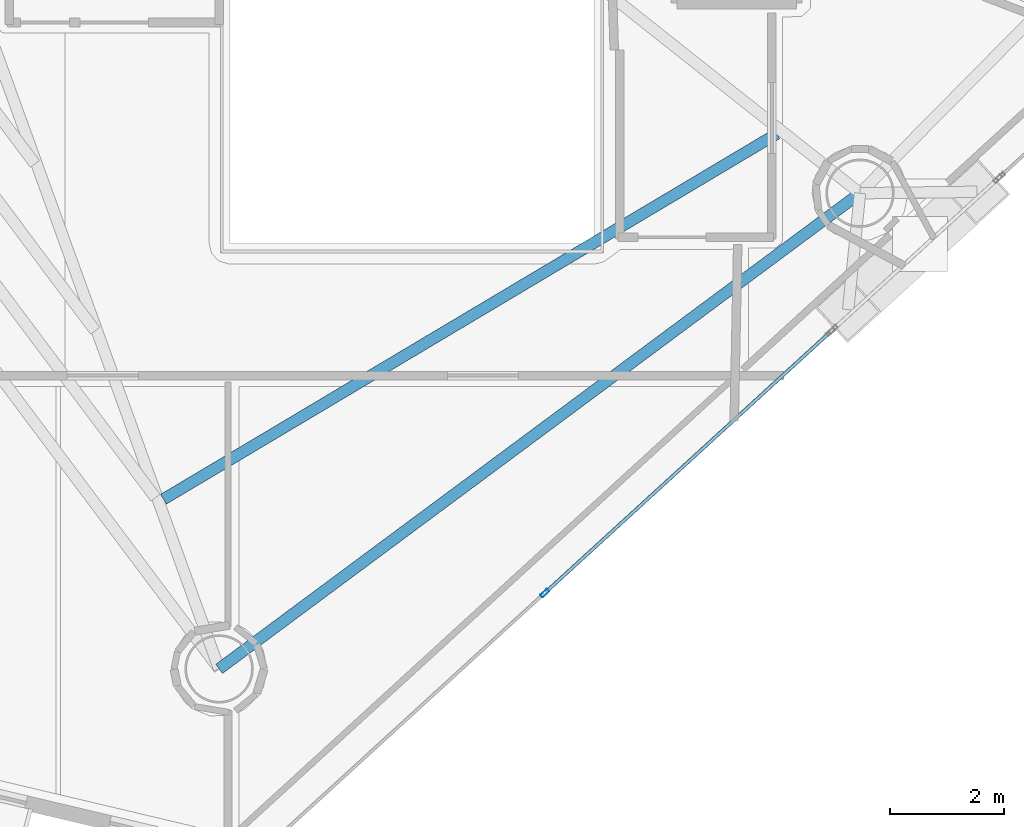
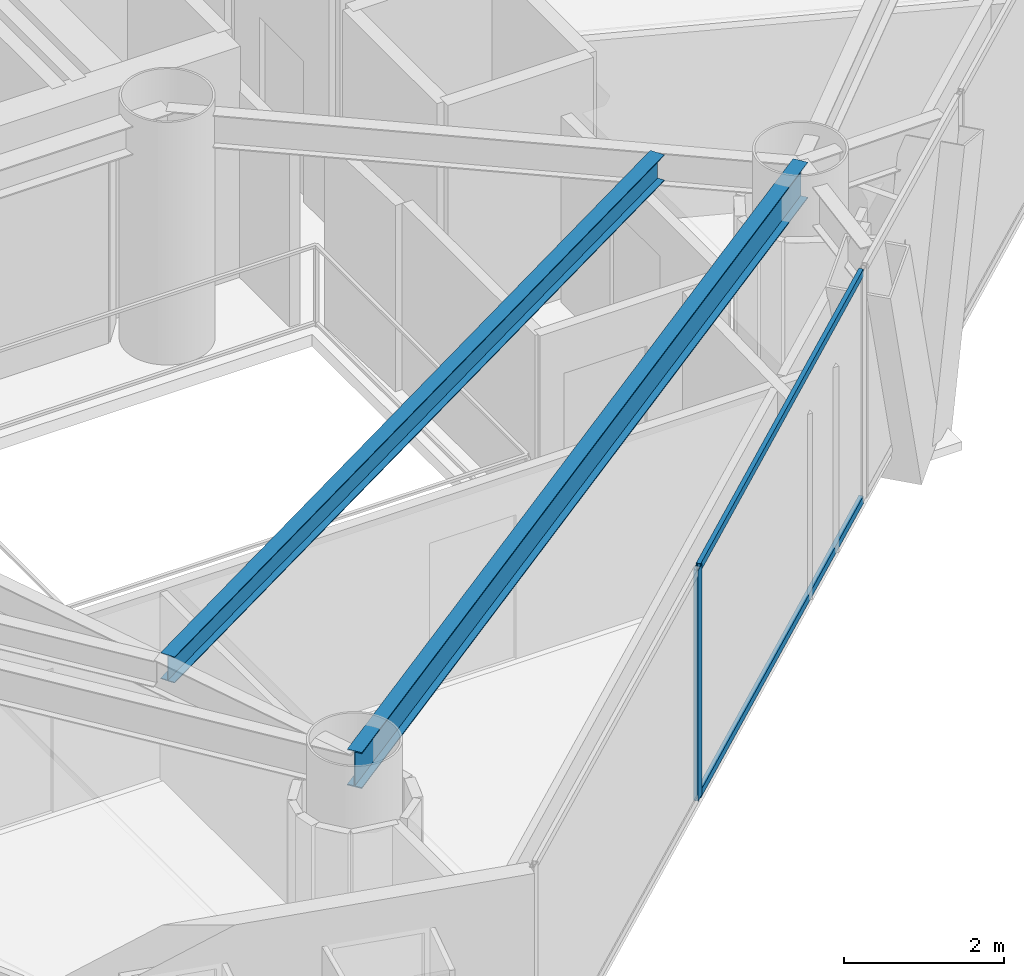
# One storey, part 5 of 24: 3 members, 2 beams, 1 element without a shape of its own.
"""IFC4 building model written with IfcOpenShell, lengths in metres."""

from ifc_helpers import new_model, si_unit, direction, frame, origin, origin_2d, place, context, subcontext, project, spatial, hollow_rectangle, i_section, extrude, material, layer, layer_set, material_profile, profile_set, type_object, element, aggregate, save


model = new_model("IFC4")

# Units and contexts
model_context = context("Model", 3, precision=1e-05, world=origin(), true_north=direction((0.0, 1.0)))
body_context = subcontext(model_context, "Body", "Model", "MODEL_VIEW")
ifc_project = project(units=[si_unit("LENGTHUNIT", "METRE"), si_unit("AREAUNIT", "SQUARE_METRE"), si_unit("VOLUMEUNIT", "CUBIC_METRE"), si_unit("PLANEANGLEUNIT", "RADIAN"), si_unit("MASSUNIT", "GRAM", prefix="KILO")], contexts=[model_context])

# Site, building, storey
site_placement = place(None, origin())
site = spatial("IfcSite", under=ifc_project, at=site_placement, CompositionType="ELEMENT")
building_placement = place(site_placement, origin())
building = spatial("IfcBuilding", under=site, at=building_placement, Name="Qianvela Tower", CompositionType="ELEMENT")
storey_placement = place(building_placement, frame((0.0, 0.0, 222.5)))
storey = spatial("IfcBuildingStorey", under=building, at=storey_placement, Name="L57", CompositionType="ELEMENT", Elevation=222.5)

# Beams
ifc_material_1 = material(Name="Steel Q355B", Category="steel")
ifc_material_profile_1 = material_profile(ifc_material_1, i_section(OverallWidth=0.199951171875, OverallDepth=0.39990234375, WebThickness=0.008056640625, FlangeThickness=0.012939453125, at=origin_2d()), Name="HN400x200x8x13")
ifc_profile_set_1 = profile_set([ifc_material_profile_1], Name="Steel Q355B")
beam_type_1 = type_object("IfcBeamType", Name="BM-HN400-JOIST", PredefinedType="JOIST", material=ifc_profile_set_1)
beam_1_placement = place(storey_placement, frame((32.4365234375, 13.51025390625, 3.318115234375), z_axis=(0.859083505932, 0.511835451914, 0.0), x_axis=(-0.511835451914, 0.859083505932, 0.0)))
element("IfcBeam", 1, at=beam_1_placement, inside=storey, type_object=beam_type_1, Name="L57 Secondary Composite Floor Joist 5.3", PredefinedType="JOIST", context=body_context, shape_type="SweptSolid", body=[
    extrude(i_section(OverallWidth=0.199951171875, OverallDepth=0.39990234375, WebThickness=0.008056640625, FlangeThickness=0.012939453125, at=origin_2d()), origin(), (0.0, 0.0, 1.0), 12.535888671875),
])
ifc_material_2 = material(Name="Steel Q355B", Category="steel")
ifc_material_profile_2 = material_profile(ifc_material_2, i_section(OverallWidth=0.199951171875, OverallDepth=0.550048828125, WebThickness=0.010009765625, FlangeThickness=0.01611328125, at=origin_2d()), Name="HN550x200x10x16")
ifc_profile_set_2 = profile_set([ifc_material_profile_2], Name="Steel Q355B")
beam_type_2 = type_object("IfcBeamType", Name="BM-HN550-GIRD", PredefinedType="BEAM", material=ifc_profile_set_2)
beam_2_placement = place(storey_placement, frame((33.4130859375, 10.531005859375, 3.242919921875), z_axis=(0.803016810701, 0.595956375696, 0.0), x_axis=(-0.595956375696, 0.803016810701, 0.0)))
element("IfcBeam", 2, at=beam_2_placement, inside=storey, type_object=beam_type_2, Name="L57 Perimeter Ring Spandrel Girder 5", PredefinedType="BEAM", context=body_context, shape_type="SweptSolid", body=[
    extrude(i_section(OverallWidth=0.199951171875, OverallDepth=0.550048828125, WebThickness=0.010009765625, FlangeThickness=0.01611328125, at=origin_2d()), origin(), (0.0, 0.0, 1.0), 14.0146484375),
])

# Curtain wall, members
ifc_material_3 = material(Name="Anodised Architectural Aluminium and Low-E Glass", Category="aluminium")
ifc_layer = layer(ifc_material_3, 0.159912109375)
ifc_layer_set = layer_set([ifc_layer], Name="Anodised Architectural Aluminium and Low-E Glass")
curtain_wall_type = type_object("IfcCurtainWallType", Name="CW-COLIV-Z56", PredefinedType="USERDEFINED", material=ifc_layer_set)
curtain_wall_placement = place(storey_placement, origin())
curtain_wall = element("IfcCurtainWall", 3, at=curtain_wall_placement, inside=storey, type_object=curtain_wall_type, Name="L57 CW-COLIV-Z56 Curtain Wall 06A", ObjectType="CURTAIN_WALL_SYSTEM", PredefinedType="USERDEFINED")
ifc_material_4 = material(Name="Anodised Architectural Aluminium 6063-T6", Category="aluminium")
ifc_material_profile_3 = material_profile(ifc_material_4, hollow_rectangle(XDim=0.06494140625, YDim=0.159912109375, WallThickness=0.0048828125, at=origin_2d()), Name="ALU-MULL-65x160")
ifc_profile_set_3 = profile_set([ifc_material_profile_3], Name="Anodised Architectural Aluminium 6063-T6")
member_type_1 = type_object("IfcMemberType", Name="CW-COLIV-Z56-MULL", PredefinedType="MULLION", material=ifc_profile_set_3)
member_1_placement = place(storey_placement, frame((39.1318359375, 11.86279296875, 0.0), z_axis=(0.0, 0.0, 1.0), x_axis=(-0.674728184721, 0.738066309178, 0.0)))
member_1 = element("IfcMember", 4, at=member_1_placement, type_object=member_type_1, Name="CW-5 mullion 2", PredefinedType="MULLION", context=body_context, shape_type="SweptSolid", body=[
    extrude(hollow_rectangle(XDim=0.06494140625, YDim=0.159912109375, WallThickness=0.0048828125, at=origin_2d()), origin(), (0.0, 0.0, 1.0), 3.52001953125),
])
ifc_material_5 = material(Name="Anodised Architectural Aluminium 6063-T6", Category="aluminium")
ifc_material_profile_4 = material_profile(ifc_material_5, hollow_rectangle(XDim=0.06005859375, YDim=0.114990234375, WallThickness=0.00390625, at=origin_2d()), Name="ALU-TRAN-60x115")
ifc_profile_set_4 = profile_set([ifc_material_profile_4], Name="Anodised Architectural Aluminium 6063-T6")
member_type_2 = type_object("IfcMemberType", Name="CW-COLIV-Z56-TRAN", PredefinedType="USERDEFINED", material=ifc_profile_set_4)
member_2_placement = place(storey_placement, frame((39.15576171875, 11.884765625, 0.030029296875), z_axis=(0.738073184548, 0.674720663868, 0.0), x_axis=(-0.674720663868, 0.738073184548, 0.0)))
member_2 = element("IfcMember", 5, at=member_2_placement, type_object=member_type_2, Name="CW-5 transom 2.1", ObjectType="TRANSOM", PredefinedType="USERDEFINED", context=body_context, shape_type="SweptSolid", body=[
    extrude(hollow_rectangle(XDim=0.06005859375, YDim=0.114990234375, WallThickness=0.00390625, at=origin_2d()), origin(), (0.0, 0.0, 1.0), 6.732421875),
])
member_3_placement = place(storey_placement, frame((39.15576171875, 11.884765625, 3.489990234375), z_axis=(0.738073184548, 0.674720663868, 0.0), x_axis=(-0.674720663868, 0.738073184548, 0.0)))
member_3 = element("IfcMember", 6, at=member_3_placement, type_object=member_type_2, Name="CW-5 transom 2.2", ObjectType="TRANSOM", PredefinedType="USERDEFINED", context=body_context, shape_type="SweptSolid", body=[
    extrude(hollow_rectangle(XDim=0.06005859375, YDim=0.114990234375, WallThickness=0.00390625, at=origin_2d()), origin(), (0.0, 0.0, 1.0), 6.732421875),
])
aggregate(curtain_wall, [member_1, member_2, member_3])

save(model, "model.ifc")
